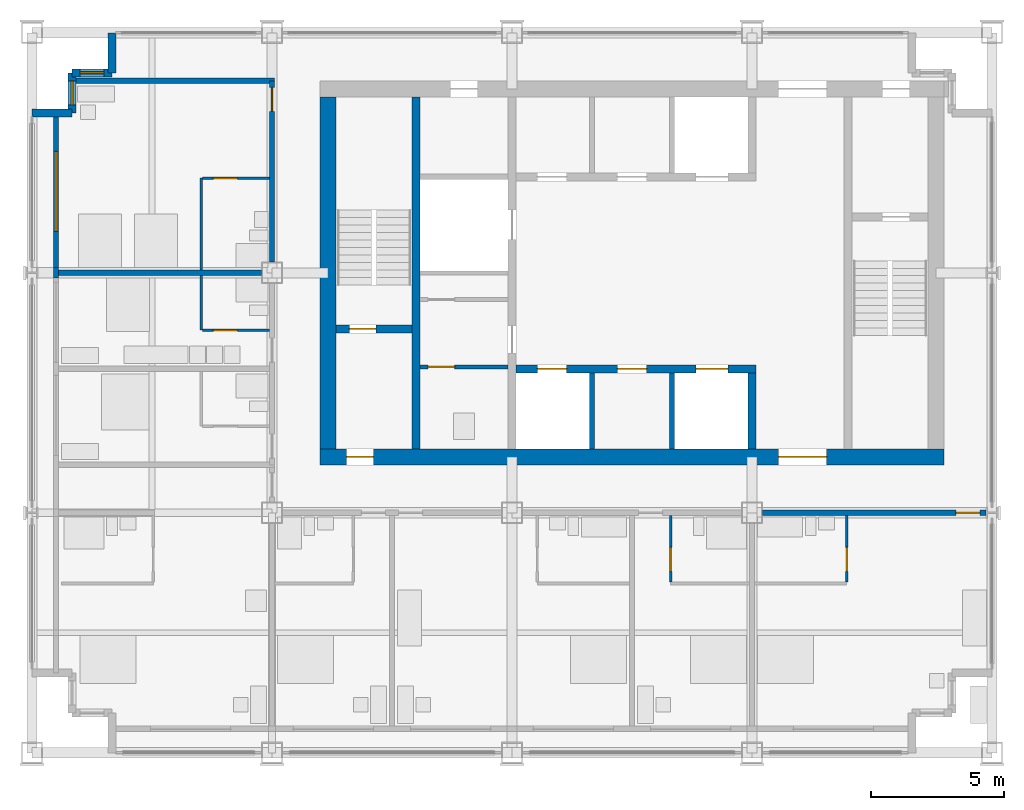
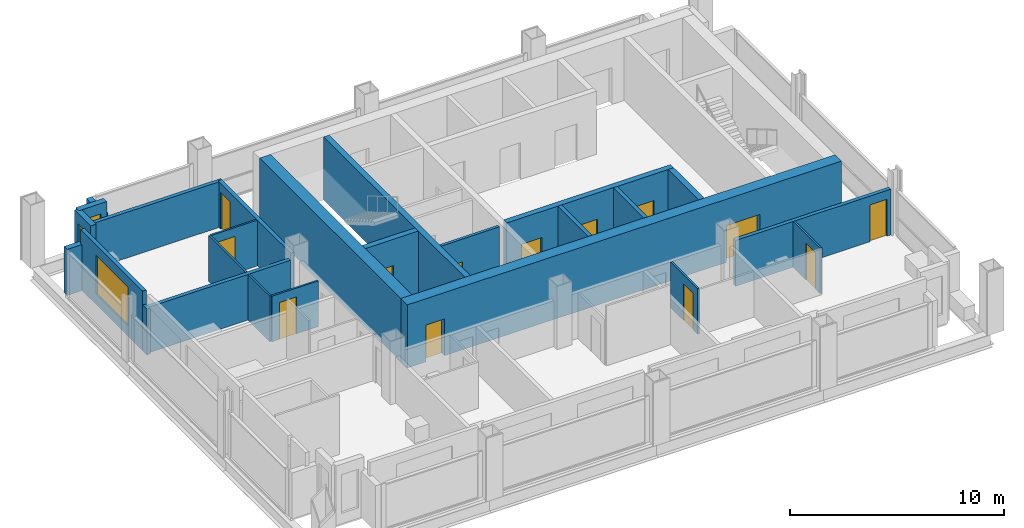
# One storey, part 7 of 12: 25 walls, 13 doors, 3 windows, 16 openings.
"""IFC4 building model written with IfcOpenShell, lengths in metres."""

from ifc_helpers import new_model, si_unit, direction, frame, frame_2d, origin, place, context, subcontext, project, spatial, rectangle, extrude, material, layer, layer_set, type_object, element, fill, save


model = new_model("IFC4")

# Units and contexts
model_context = context("Model", 3, precision=1e-05, world=origin(), true_north=direction((0.0, 1.0)))
body_context = subcontext(model_context, "Body", "Model", "MODEL_VIEW")
ifc_project = project(units=[si_unit("LENGTHUNIT", "METRE"), si_unit("AREAUNIT", "SQUARE_METRE"), si_unit("VOLUMEUNIT", "CUBIC_METRE"), si_unit("PLANEANGLEUNIT", "RADIAN"), si_unit("MASSUNIT", "GRAM", prefix="KILO")], contexts=[model_context])

# Site, building, storey
site_placement = place(None, origin())
site = spatial("IfcSite", under=ifc_project, at=site_placement, CompositionType="ELEMENT")
building_placement = place(site_placement, origin())
building = spatial("IfcBuilding", under=site, at=building_placement, Name="Loomwork Tower", CompositionType="ELEMENT")
storey_placement = place(building_placement, frame((0.0, 0.0, 237.39990234375)))
storey = spatial("IfcBuildingStorey", under=building, at=storey_placement, Name="L65", CompositionType="ELEMENT", Elevation=237.39990234375)

# Wall
ifc_material_1 = material(Name="Concrete 14000 psi (97 MPa)", Category="concrete")
ifc_layer_1 = layer(ifc_material_1, 0.300048828125)
ifc_layer_set_1 = layer_set([ifc_layer_1], Name="Core shear wall 300")
wall_type_1 = type_object("IfcWallType", Name="Core shear wall 300", PredefinedType="SHEAR", material=ifc_layer_set_1)
wall_1_placement = place(storey_placement, frame((14.39990234375, 11.39990234375, 0.0), z_axis=(0.0, 0.0, 1.0), x_axis=(0.0, 1.0, 0.0)))
element("IfcWall", 1, at=wall_1_placement, inside=storey, type_object=wall_type_1, Name="Stair A east wall L65", PredefinedType="SHEAR", context=body_context, shape_type="SweptSolid", body=[
    extrude(rectangle(XDim=13.2001953125, YDim=0.300048828125, at=frame_2d((6.60009765625, 0.0))), origin(), (0.0, 0.0, 1.0), 3.60009765625),
])

# Wall, opening, door
wall_2_placement = place(storey_placement, frame((11.39990234375, 15.89990234375, 0.0), z_axis=(0.0, 0.0, 1.0), x_axis=(1.0, 0.0, 0.0)))
wall_2 = element("IfcWall", 2, at=wall_2_placement, inside=storey, type_object=wall_type_1, Name="Stair A south wall L65", PredefinedType="SHEAR", context=body_context, shape_type="SweptSolid", body=[
    extrude(rectangle(XDim=2.85009765625, YDim=0.300048828125, at=frame_2d((1.425048828125, 0.0))), origin(), (0.0, 0.0, 1.0), 3.60009765625),
])
opening_1_placement = place(wall_2_placement, frame((0.5, 0.0, 0.0)))
opening_1 = element("IfcOpeningElement", 3, at=opening_1_placement, cuts=wall_2, Name="Opening D4", PredefinedType="OPENING", context=body_context, shape_type="SweptSolid", body=[
    extrude(rectangle(XDim=1.0, YDim=2.10009765625, at=frame_2d((0.5, 1.050048828125))), frame((0.0, 0.159912109375, 0.0), z_axis=(0.0, -1.0, 0.0), x_axis=(1.0, 0.0, 0.0)), (0.0, 0.0, 1.0), 0.320068359375),
])
ifc_material_2 = material(Name="Hollow metal door and frame")
door_type_1 = type_object("IfcDoorType", Name="Stair door 1000", OperationType="SINGLE_SWING_RIGHT", PredefinedType="DOOR", material=ifc_material_2)
door_1_placement = place(opening_1_placement, origin())
door_1 = element("IfcDoor", 4, at=door_1_placement, inside=storey, type_object=door_type_1, Name="Stair A door", OperationType="SINGLE_SWING_LEFT", OverallHeight=2.10009765625, OverallWidth=1.0, PredefinedType="DOOR", context=body_context, shape_type="SweptSolid", body=[
    extrude(rectangle(XDim=1.0, YDim=2.10009765625, at=frame_2d((0.5, 1.050048828125))), frame((0.0, 0.02490234375, 0.0), z_axis=(0.0, -1.0, 0.0), x_axis=(1.0, 0.0, 0.0)), (0.0, 0.0, 1.0), 0.050048828125),
])
fill(opening_1, door_1)

# Wall, openings, doors
wall_3_placement = place(storey_placement, frame((18.14990234375, 14.39990234375, 0.0), z_axis=(0.0, 0.0, 1.0), x_axis=(1.0, 0.0, 0.0)))
wall_3 = element("IfcWall", 5, at=wall_3_placement, inside=storey, type_object=wall_type_1, Name="Lift front wall south L65", PredefinedType="SHEAR", context=body_context, shape_type="SweptSolid", body=[
    extrude(rectangle(XDim=9.0, YDim=0.300048828125, at=frame_2d((4.5, 0.0))), origin(), (0.0, 0.0, 1.0), 3.60009765625),
])
opening_2_placement = place(wall_3_placement, frame((0.800048828125, 0.0, 0.0)))
opening_2 = element("IfcOpeningElement", 6, at=opening_2_placement, cuts=wall_3, Name="Opening LD1", PredefinedType="OPENING", context=body_context, shape_type="SweptSolid", body=[
    extrude(rectangle(XDim=1.10009765625, YDim=2.10009765625, at=frame_2d((0.550048828125, 1.050048828125))), frame((0.0, 0.159912109375, 0.0), z_axis=(0.0, -1.0, 0.0), x_axis=(1.0, 0.0, 0.0)), (0.0, 0.0, 1.0), 0.320068359375),
])
opening_3_placement = place(wall_3_placement, frame((6.75, 0.0, 0.0)))
opening_3 = element("IfcOpeningElement", 7, at=opening_3_placement, cuts=wall_3, Name="Opening LD2", PredefinedType="OPENING", context=body_context, shape_type="SweptSolid", body=[
    extrude(rectangle(XDim=1.199951171875, YDim=2.10009765625, at=frame_2d((0.60009765625, 1.050048828125))), frame((0.0, 0.159912109375, 0.0), z_axis=(0.0, -1.0, 0.0), x_axis=(1.0, 0.0, 0.0)), (0.0, 0.0, 1.0), 0.320068359375),
])
opening_4_placement = place(wall_3_placement, frame((3.800048828125, 0.0, 0.0)))
opening_4 = element("IfcOpeningElement", 8, at=opening_4_placement, cuts=wall_3, Name="Opening D17", PredefinedType="OPENING", context=body_context, shape_type="SweptSolid", body=[
    extrude(rectangle(XDim=1.10009765625, YDim=2.10009765625, at=frame_2d((0.550048828125, 1.050048828125))), frame((0.0, 0.159912109375, 0.0), z_axis=(0.0, -1.0, 0.0), x_axis=(1.0, 0.0, 0.0)), (0.0, 0.0, 1.0), 0.320068359375),
])
ifc_material_3 = material(Name="Hollow metal door and frame")
door_type_2 = type_object("IfcDoorType", Name="Lift landing door 1100", OperationType="SLIDING_TO_LEFT", PredefinedType="DOOR", material=ifc_material_3)
door_2_placement = place(opening_2_placement, origin())
door_2 = element("IfcDoor", 9, at=door_2_placement, inside=storey, type_object=door_type_2, Name="Lift landing door LC1", OperationType="SLIDING_TO_LEFT", OverallHeight=2.10009765625, OverallWidth=1.10009765625, PredefinedType="DOOR", context=body_context, shape_type="SweptSolid", body=[
    extrude(rectangle(XDim=1.10009765625, YDim=2.10009765625, at=frame_2d((0.550048828125, 1.050048828125))), frame((0.0, 0.02490234375, 0.0), z_axis=(0.0, -1.0, 0.0), x_axis=(1.0, 0.0, 0.0)), (0.0, 0.0, 1.0), 0.050048828125),
])
fill(opening_2, door_2)
ifc_material_4 = material(Name="Hollow metal door and frame")
door_type_3 = type_object("IfcDoorType", Name="Lift landing door 1200", OperationType="SLIDING_TO_LEFT", PredefinedType="DOOR", material=ifc_material_4)
door_3_placement = place(opening_3_placement, origin())
door_3 = element("IfcDoor", 10, at=door_3_placement, inside=storey, type_object=door_type_3, Name="Lift landing door LF1", OperationType="SLIDING_TO_LEFT", OverallHeight=2.10009765625, OverallWidth=1.199951171875, PredefinedType="DOOR", context=body_context, shape_type="SweptSolid", body=[
    extrude(rectangle(XDim=1.199951171875, YDim=2.10009765625, at=frame_2d((0.60009765625, 1.050048828125))), frame((0.0, 0.02490234375, 0.0), z_axis=(0.0, -1.0, 0.0), x_axis=(1.0, 0.0, 0.0)), (0.0, 0.0, 1.0), 0.050048828125),
])
fill(opening_3, door_3)
ifc_material_5 = material(Name="Hollow metal door and frame")
door_type_4 = type_object("IfcDoorType", Name="Service room door 1100", OperationType="SINGLE_SWING_LEFT", PredefinedType="DOOR", material=ifc_material_5)
door_4_placement = place(opening_4_placement, frame((1.10009765625, 0.0, 0.0), z_axis=(0.0, 0.0, 1.0), x_axis=(-1.0, 0.0, 0.0)))
door_4 = element("IfcDoor", 11, at=door_4_placement, inside=storey, type_object=door_type_4, Name="Guest pantry, ice and vending door L65", OperationType="SINGLE_SWING_RIGHT", OverallHeight=2.10009765625, OverallWidth=1.10009765625, PredefinedType="DOOR", context=body_context, shape_type="SweptSolid", body=[
    extrude(rectangle(XDim=1.10009765625, YDim=2.10009765625, at=frame_2d((0.550048828125, 1.050048828125))), frame((0.0, 0.02490234375, 0.0), z_axis=(0.0, -1.0, 0.0), x_axis=(1.0, 0.0, 0.0)), (0.0, 0.0, 1.0), 0.050048828125),
])
fill(opening_4, door_4)

# Wall
wall_4_placement = place(storey_placement, frame((27.0, 11.39990234375, 0.0), z_axis=(0.0, 0.0, 1.0), x_axis=(0.0, 1.0, 0.0)))
element("IfcWall", 12, at=wall_4_placement, inside=storey, type_object=wall_type_1, Name="Lift shaft end wall south L65", PredefinedType="SHEAR", context=body_context, shape_type="SweptSolid", body=[
    extrude(rectangle(XDim=2.85009765625, YDim=0.300048828125, at=frame_2d((1.425048828125, 0.0))), origin(), (0.0, 0.0, 1.0), 3.60009765625),
])

# Wall, openings, doors
ifc_material_6 = material(Name="Concrete 14000 psi (97 MPa)", Category="concrete")
ifc_layer_2 = layer(ifc_material_6, 0.60009765625)
ifc_layer_set_2 = layer_set([ifc_layer_2], Name="Core shear wall 600")
wall_type_2 = type_object("IfcWallType", Name="Core shear wall 600", PredefinedType="SHEAR", material=ifc_layer_set_2)
wall_5_placement = place(storey_placement, frame((10.800048828125, 11.10009765625, 0.0), z_axis=(0.0, 0.0, 1.0), x_axis=(1.0, 0.0, 0.0)))
wall_5 = element("IfcWall", 13, at=wall_5_placement, inside=storey, type_object=wall_type_2, Name="Core wall south L65", PredefinedType="SHEAR", context=body_context, shape_type="SweptSolid", body=[
    extrude(rectangle(XDim=23.39990234375, YDim=0.60009765625, at=frame_2d((11.699951171875, 0.0))), origin(), (0.0, 0.0, 1.0), 3.60009765625),
])
opening_5_placement = place(wall_5_placement, frame((1.0, 0.0, 0.0)))
opening_5 = element("IfcOpeningElement", 14, at=opening_5_placement, cuts=wall_5, Name="Opening D4", PredefinedType="OPENING", context=body_context, shape_type="SweptSolid", body=[
    extrude(rectangle(XDim=1.0, YDim=2.10009765625, at=frame_2d((0.5, 1.050048828125))), frame((0.0, 0.31005859375, 0.0), z_axis=(0.0, -1.0, 0.0), x_axis=(1.0, 0.0, 0.0)), (0.0, 0.0, 1.0), 0.6201171875),
])
opening_6_placement = place(wall_5_placement, frame((17.199951171875, 0.0, 0.0)))
opening_6 = element("IfcOpeningElement", 15, at=opening_6_placement, cuts=wall_5, Name="Opening D6", PredefinedType="OPENING", context=body_context, shape_type="SweptSolid", body=[
    extrude(rectangle(XDim=1.800048828125, YDim=2.10009765625, at=frame_2d((0.89990234375, 1.050048828125))), frame((0.0, 0.31005859375, 0.0), z_axis=(0.0, -1.0, 0.0), x_axis=(1.0, 0.0, 0.0)), (0.0, 0.0, 1.0), 0.6201171875),
])
ifc_material_7 = material(Name="Hollow metal door and frame")
door_type_5 = type_object("IfcDoorType", Name="Lobby passage double door 1800", OperationType="DOUBLE_DOOR_SINGLE_SWING", PredefinedType="DOOR", material=ifc_material_7)
door_5_placement = place(opening_6_placement, origin())
door_5 = element("IfcDoor", 16, at=door_5_placement, inside=storey, type_object=door_type_5, Name="Lobby passage door south", OperationType="DOUBLE_DOOR_SINGLE_SWING", OverallHeight=2.10009765625, OverallWidth=1.800048828125, PredefinedType="DOOR", context=body_context, shape_type="SweptSolid", body=[
    extrude(rectangle(XDim=1.800048828125, YDim=2.10009765625, at=frame_2d((0.89990234375, 1.050048828125))), frame((0.0, 0.02490234375, 0.0), z_axis=(0.0, -1.0, 0.0), x_axis=(1.0, 0.0, 0.0)), (0.0, 0.0, 1.0), 0.050048828125),
])
fill(opening_6, door_5)
door_6_placement = place(opening_5_placement, origin())
door_6 = element("IfcDoor", 17, at=door_6_placement, inside=storey, type_object=door_type_1, Name="Stair A vestibule door", OperationType="SINGLE_SWING_LEFT", OverallHeight=2.10009765625, OverallWidth=1.0, PredefinedType="DOOR", context=body_context, shape_type="SweptSolid", body=[
    extrude(rectangle(XDim=1.0, YDim=2.10009765625, at=frame_2d((0.5, 1.050048828125))), frame((0.0, 0.02490234375, 0.0), z_axis=(0.0, -1.0, 0.0), x_axis=(1.0, 0.0, 0.0)), (0.0, 0.0, 1.0), 0.050048828125),
])
fill(opening_5, door_6)

# Wall
wall_6_placement = place(storey_placement, frame((11.10009765625, 11.39990234375, 0.0), z_axis=(0.0, 0.0, 1.0), x_axis=(0.0, 1.0, 0.0)))
element("IfcWall", 18, at=wall_6_placement, inside=storey, type_object=wall_type_2, Name="Core wall west L65", PredefinedType="SHEAR", context=body_context, shape_type="SweptSolid", body=[
    extrude(rectangle(XDim=13.2001953125, YDim=0.60009765625, at=frame_2d((6.60009765625, 0.0))), origin(), (0.0, 0.0, 1.0), 3.60009765625),
])

# Wall, opening, door
ifc_material_8 = material(Name="Gypsum board on steel studs, one-hour", Category="steel")
ifc_layer_3 = layer(ifc_material_8, 0.199951171875)
ifc_layer_set_3 = layer_set([ifc_layer_3], Name="Corridor wall 200")
wall_type_3 = type_object("IfcWallType", Name="Corridor wall 200", PredefinedType="PARTITIONING", material=ifc_layer_set_3)
wall_7_placement = place(storey_placement, frame((27.39990234375, 9.0, 0.0), z_axis=(0.0, 0.0, 1.0), x_axis=(1.0, 0.0, 0.0)))
wall_7 = element("IfcWall", 19, at=wall_7_placement, inside=storey, type_object=wall_type_3, Name="South corridor wall 4", PredefinedType="PARTITIONING", context=body_context, shape_type="SweptSolid", body=[
    extrude(rectangle(XDim=8.36767578125, YDim=0.199951171875, at=frame_2d((4.183837890625, 0.0))), origin(), (0.0, 0.0, 1.0), 2.60498046875),
])
opening_7_placement = place(wall_7_placement, frame((7.25, 0.0, 0.0)))
opening_7 = element("IfcOpeningElement", 20, at=opening_7_placement, cuts=wall_7, Name="Opening D1", PredefinedType="OPENING", context=body_context, shape_type="SweptSolid", body=[
    extrude(rectangle(XDim=0.89990234375, YDim=2.10009765625, at=frame_2d((0.449951171875, 1.050048828125))), frame((0.0, 0.10986328125, 0.0), z_axis=(0.0, -1.0, 0.0), x_axis=(1.0, 0.0, 0.0)), (0.0, 0.0, 1.0), 0.219970703125),
])
ifc_material_9 = material(Name="Hollow metal door and frame")
door_type_6 = type_object("IfcDoorType", Name="Guest room entry door 900", OperationType="SINGLE_SWING_LEFT", PredefinedType="DOOR", material=ifc_material_9)
door_7_placement = place(opening_7_placement, frame((0.89990234375, 0.0, 0.0), z_axis=(0.0, 0.0, 1.0), x_axis=(-1.0, 0.0, 0.0)))
door_7 = element("IfcDoor", 21, at=door_7_placement, inside=storey, type_object=door_type_6, Name="Guest room entry door L65 5", OperationType="SINGLE_SWING_RIGHT", OverallHeight=2.10009765625, OverallWidth=0.89990234375, PredefinedType="DOOR", context=body_context, shape_type="SweptSolid", body=[
    extrude(rectangle(XDim=0.89990234375, YDim=2.10009765625, at=frame_2d((0.449951171875, 1.050048828125))), frame((0.0, 0.02490234375, 0.0), z_axis=(0.0, -1.0, 0.0), x_axis=(1.0, 0.0, 0.0)), (0.0, 0.0, 1.0), 0.050048828125),
])
fill(opening_7, door_7)

wall_8_placement = place(storey_placement, frame((9.0, 18.39990234375, 0.0), z_axis=(0.0, 0.0, 1.0), x_axis=(0.0, 1.0, 0.0)))
wall_8 = element("IfcWall", 22, at=wall_8_placement, inside=storey, type_object=wall_type_3, Name="West corridor wall 2", PredefinedType="PARTITIONING", context=body_context, shape_type="SweptSolid", body=[
    extrude(rectangle(XDim=6.800048828125, YDim=0.199951171875, at=frame_2d((3.39990234375, 0.0))), origin(), (0.0, 0.0, 1.0), 2.60498046875),
])
opening_8_placement = place(wall_8_placement, frame((5.64990234375, 0.0, 0.0)))
opening_8 = element("IfcOpeningElement", 23, at=opening_8_placement, cuts=wall_8, Name="Opening D1", PredefinedType="OPENING", context=body_context, shape_type="SweptSolid", body=[
    extrude(rectangle(XDim=0.89990234375, YDim=2.10009765625, at=frame_2d((0.449951171875, 1.050048828125))), frame((0.0, 0.10986328125, 0.0), z_axis=(0.0, -1.0, 0.0), x_axis=(1.0, 0.0, 0.0)), (0.0, 0.0, 1.0), 0.219970703125),
])
door_8_placement = place(opening_8_placement, origin())
door_8 = element("IfcDoor", 24, at=door_8_placement, inside=storey, type_object=door_type_6, Name="Guest room entry door L65 8", OperationType="SINGLE_SWING_RIGHT", OverallHeight=2.10009765625, OverallWidth=0.89990234375, PredefinedType="DOOR", context=body_context, shape_type="SweptSolid", body=[
    extrude(rectangle(XDim=0.89990234375, YDim=2.10009765625, at=frame_2d((0.449951171875, 1.050048828125))), frame((0.0, 0.02490234375, 0.0), z_axis=(0.0, -1.0, 0.0), x_axis=(1.0, 0.0, 0.0)), (0.0, 0.0, 1.0), 0.050048828125),
])
fill(opening_8, door_8)

# Wall
wall_9_placement = place(storey_placement, frame((1.64990234375, 25.199951171875, 0.0), z_axis=(0.0, 0.0, 1.0), x_axis=(1.0, 0.0, 0.0)))
element("IfcWall", 25, at=wall_9_placement, inside=storey, type_object=wall_type_3, Name="West band end wall N", PredefinedType="PARTITIONING", context=body_context, shape_type="SweptSolid", body=[
    extrude(rectangle(XDim=7.4501953125, YDim=0.199951171875, at=frame_2d((3.72509765625, 0.0))), origin(), (0.0, 0.0, 1.0), 2.60400390625),
])

# Wall, opening, door
ifc_material_10 = material(Name="Cement board on steel studs", Category="steel")
ifc_layer_4 = layer(ifc_material_10, 0.10009765625)
ifc_layer_set_4 = layer_set([ifc_layer_4], Name="En-suite partition 100")
wall_type_4 = type_object("IfcWallType", Name="En-suite partition 100", PredefinedType="PARTITIONING", material=ifc_layer_set_4)
wall_10_placement = place(storey_placement, frame((23.949951171875, 8.89990234375, 0.0), z_axis=(0.0, 0.0, 1.0), x_axis=(0.0, -1.0, 0.0)))
wall_10 = element("IfcWall", 26, at=wall_10_placement, inside=storey, type_object=wall_type_4, Name="En-suite side wall L65 room 4", PredefinedType="PARTITIONING", context=body_context, shape_type="SweptSolid", body=[
    extrude(rectangle(XDim=2.5, YDim=0.10009765625, at=frame_2d((1.25, 0.0))), origin(), (0.0, 0.0, 1.0), 2.60400390625),
])
opening_9_placement = place(wall_10_placement, frame((1.199951171875, 0.0, 0.0)))
opening_9 = element("IfcOpeningElement", 27, at=opening_9_placement, cuts=wall_10, Name="Opening D3", PredefinedType="OPENING", context=body_context, shape_type="SweptSolid", body=[
    extrude(rectangle(XDim=0.89990234375, YDim=2.10009765625, at=frame_2d((0.449951171875, 1.050048828125))), frame((0.0, 0.06005859375, 0.0), z_axis=(0.0, -1.0, 0.0), x_axis=(1.0, 0.0, 0.0)), (0.0, 0.0, 1.0), 0.1201171875),
])
ifc_material_11 = material(Name="Hollow metal door and frame")
door_type_7 = type_object("IfcDoorType", Name="Accessible en-suite door 900", OperationType="SLIDING_TO_LEFT", PredefinedType="DOOR", material=ifc_material_11)
door_9_placement = place(opening_9_placement, origin())
door_9 = element("IfcDoor", 28, at=door_9_placement, inside=storey, type_object=door_type_7, Name="Accessible en-suite door room 4", OperationType="SLIDING_TO_LEFT", OverallHeight=2.10009765625, OverallWidth=0.89990234375, PredefinedType="DOOR", context=body_context, shape_type="SweptSolid", body=[
    extrude(rectangle(XDim=0.89990234375, YDim=2.10009765625, at=frame_2d((0.449951171875, 1.050048828125))), frame((0.0, 0.02490234375, 0.0), z_axis=(0.0, -1.0, 0.0), x_axis=(1.0, 0.0, 0.0)), (0.0, 0.0, 1.0), 0.050048828125),
])
fill(opening_9, door_9)

wall_11_placement = place(storey_placement, frame((30.550048828125, 8.89990234375, 0.0), z_axis=(0.0, 0.0, 1.0), x_axis=(0.0, -1.0, 0.0)))
wall_11 = element("IfcWall", 29, at=wall_11_placement, inside=storey, type_object=wall_type_4, Name="En-suite side wall L65 room 5", PredefinedType="PARTITIONING", context=body_context, shape_type="SweptSolid", body=[
    extrude(rectangle(XDim=2.5, YDim=0.10009765625, at=frame_2d((1.25, 0.0))), origin(), (0.0, 0.0, 1.0), 2.60400390625),
])
opening_10_placement = place(wall_11_placement, frame((1.199951171875, 0.0, 0.0)))
opening_10 = element("IfcOpeningElement", 30, at=opening_10_placement, cuts=wall_11, Name="Opening D2", PredefinedType="OPENING", context=body_context, shape_type="SweptSolid", body=[
    extrude(rectangle(XDim=0.89990234375, YDim=2.10009765625, at=frame_2d((0.449951171875, 1.050048828125))), frame((0.0, 0.06005859375, 0.0), z_axis=(0.0, -1.0, 0.0), x_axis=(1.0, 0.0, 0.0)), (0.0, 0.0, 1.0), 0.1201171875),
])
ifc_material_12 = material(Name="Hollow metal door and frame")
door_type_8 = type_object("IfcDoorType", Name="En-suite door 900", OperationType="SINGLE_SWING_LEFT", PredefinedType="DOOR", material=ifc_material_12)
door_10_placement = place(opening_10_placement, frame((0.89990234375, 0.0, 0.0), z_axis=(0.0, 0.0, 1.0), x_axis=(-1.0, 0.0, 0.0)))
door_10 = element("IfcDoor", 31, at=door_10_placement, inside=storey, type_object=door_type_8, Name="En-suite door room 5", OperationType="SINGLE_SWING_LEFT", OverallHeight=2.10009765625, OverallWidth=0.89990234375, PredefinedType="DOOR", context=body_context, shape_type="SweptSolid", body=[
    extrude(rectangle(XDim=0.89990234375, YDim=2.10009765625, at=frame_2d((0.449951171875, 1.050048828125))), frame((0.0, 0.02490234375, 0.0), z_axis=(0.0, -1.0, 0.0), x_axis=(1.0, 0.0, 0.0)), (0.0, 0.0, 1.0), 0.050048828125),
])
fill(opening_10, door_10)

# Wall
wall_12_placement = place(storey_placement, frame((6.35009765625, 15.85009765625, 0.0), z_axis=(0.0, 0.0, 1.0), x_axis=(0.0, 1.0, 0.0)))
element("IfcWall", 32, at=wall_12_placement, inside=storey, type_object=wall_type_4, Name="En-suite wall L65 room 7", PredefinedType="PARTITIONING", context=body_context, shape_type="SweptSolid", body=[
    extrude(rectangle(XDim=2.0498046875, YDim=0.10009765625, at=frame_2d((1.02490234375, 0.0))), origin(), (0.0, 0.0, 1.0), 2.60400390625),
])

# Wall, opening, door
wall_13_placement = place(storey_placement, frame((8.89990234375, 15.85009765625, 0.0), z_axis=(0.0, 0.0, 1.0), x_axis=(-1.0, 0.0, 0.0)))
wall_13 = element("IfcWall", 33, at=wall_13_placement, inside=storey, type_object=wall_type_4, Name="En-suite side wall L65 room 7", PredefinedType="PARTITIONING", context=body_context, shape_type="SweptSolid", body=[
    extrude(rectangle(XDim=2.5, YDim=0.10009765625, at=frame_2d((1.25, 0.0))), origin(), (0.0, 0.0, 1.0), 2.60400390625),
])
opening_11_placement = place(wall_13_placement, frame((1.199951171875, 0.0, 0.0)))
opening_11 = element("IfcOpeningElement", 34, at=opening_11_placement, cuts=wall_13, Name="Opening D2", PredefinedType="OPENING", context=body_context, shape_type="SweptSolid", body=[
    extrude(rectangle(XDim=0.89990234375, YDim=2.10009765625, at=frame_2d((0.449951171875, 1.050048828125))), frame((0.0, 0.06005859375, 0.0), z_axis=(0.0, -1.0, 0.0), x_axis=(1.0, 0.0, 0.0)), (0.0, 0.0, 1.0), 0.1201171875),
])
door_11_placement = place(opening_11_placement, frame((0.89990234375, 0.0, 0.0), z_axis=(0.0, 0.0, 1.0), x_axis=(-1.0, 0.0, 0.0)))
door_11 = element("IfcDoor", 35, at=door_11_placement, inside=storey, type_object=door_type_8, Name="En-suite door room 7", OperationType="SINGLE_SWING_LEFT", OverallHeight=2.10009765625, OverallWidth=0.89990234375, PredefinedType="DOOR", context=body_context, shape_type="SweptSolid", body=[
    extrude(rectangle(XDim=0.89990234375, YDim=2.10009765625, at=frame_2d((0.449951171875, 1.050048828125))), frame((0.0, 0.02490234375, 0.0), z_axis=(0.0, -1.0, 0.0), x_axis=(1.0, 0.0, 0.0)), (0.0, 0.0, 1.0), 0.050048828125),
])
fill(opening_11, door_11)

# Wall
wall_14_placement = place(storey_placement, frame((6.35009765625, 18.10009765625, 0.0), z_axis=(0.0, 0.0, 1.0), x_axis=(0.0, 1.0, 0.0)))
element("IfcWall", 36, at=wall_14_placement, inside=storey, type_object=wall_type_4, Name="En-suite wall L65 room 8", PredefinedType="PARTITIONING", context=body_context, shape_type="SweptSolid", body=[
    extrude(rectangle(XDim=3.449951171875, YDim=0.10009765625, at=frame_2d((1.72509765625, 0.0))), origin(), (0.0, 0.0, 1.0), 2.60400390625),
])

# Wall, opening, door
wall_15_placement = place(storey_placement, frame((8.89990234375, 21.550048828125, 0.0), z_axis=(0.0, 0.0, 1.0), x_axis=(-1.0, 0.0, 0.0)))
wall_15 = element("IfcWall", 37, at=wall_15_placement, inside=storey, type_object=wall_type_4, Name="En-suite side wall L65 room 8", PredefinedType="PARTITIONING", context=body_context, shape_type="SweptSolid", body=[
    extrude(rectangle(XDim=2.5, YDim=0.10009765625, at=frame_2d((1.25, 0.0))), origin(), (0.0, 0.0, 1.0), 2.60400390625),
])
opening_12_placement = place(wall_15_placement, frame((1.199951171875, 0.0, 0.0)))
opening_12 = element("IfcOpeningElement", 38, at=opening_12_placement, cuts=wall_15, Name="Opening D2", PredefinedType="OPENING", context=body_context, shape_type="SweptSolid", body=[
    extrude(rectangle(XDim=0.89990234375, YDim=2.10009765625, at=frame_2d((0.449951171875, 1.050048828125))), frame((0.0, 0.06005859375, 0.0), z_axis=(0.0, -1.0, 0.0), x_axis=(1.0, 0.0, 0.0)), (0.0, 0.0, 1.0), 0.1201171875),
])
door_12_placement = place(opening_12_placement, origin())
door_12 = element("IfcDoor", 39, at=door_12_placement, inside=storey, type_object=door_type_8, Name="En-suite door room 8", OperationType="SINGLE_SWING_RIGHT", OverallHeight=2.10009765625, OverallWidth=0.89990234375, PredefinedType="DOOR", context=body_context, shape_type="SweptSolid", body=[
    extrude(rectangle(XDim=0.89990234375, YDim=2.10009765625, at=frame_2d((0.449951171875, 1.050048828125))), frame((0.0, 0.02490234375, 0.0), z_axis=(0.0, -1.0, 0.0), x_axis=(1.0, 0.0, 0.0)), (0.0, 0.0, 1.0), 0.050048828125),
])
fill(opening_12, door_12)

# Walls
ifc_material_13 = material(Name="Gypsum board on steel studs, acoustic", Category="steel")
ifc_layer_5 = layer(ifc_material_13, 0.199951171875)
ifc_layer_set_5 = layer_set([ifc_layer_5], Name="Guest room party wall 200")
wall_type_5 = type_object("IfcWallType", Name="Guest room party wall 200", PredefinedType="PARTITIONING", material=ifc_layer_set_5)
wall_16_placement = place(storey_placement, frame((8.60009765625, 18.0, 0.0), z_axis=(0.0, 0.0, 1.0), x_axis=(-1.0, 0.0, 0.0)))
element("IfcWall", 40, at=wall_16_placement, inside=storey, type_object=wall_type_5, Name="Guest room party wall W 18", PredefinedType="PARTITIONING", context=body_context, shape_type="SweptSolid", body=[
    extrude(rectangle(XDim=7.60009765625, YDim=0.199951171875, at=frame_2d((3.800048828125, 0.0))), origin(), (0.0, 0.0, 1.0), 2.60498046875),
])
ifc_material_14 = material(Name="Insulated steel stud wall with gypsum lining", Category="steel")
ifc_layer_6 = layer(ifc_material_14, 0.199951171875)
ifc_layer_set_6 = layer_set([ifc_layer_6], Name="Inner skin wall 200")
wall_type_6 = type_object("IfcWallType", Name="Inner skin wall 200", PredefinedType="SOLIDWALL", material=ifc_layer_set_6)
wall_17_placement = place(storey_placement, frame((0.89990234375, 17.80615234375, 0.0), z_axis=(0.0, 0.0, 1.0), x_axis=(0.0, 1.0, 0.0)))
element("IfcWall", 41, at=wall_17_placement, inside=storey, type_object=wall_type_6, Name="Inner skin wall W bay 6", PredefinedType="SOLIDWALL", context=body_context, shape_type="SweptSolid", body=[
    extrude(rectangle(XDim=0.3876953125, YDim=0.199951171875, at=frame_2d((0.19384765625, 0.0))), origin(), (0.0, 0.0, 1.0), 2.60400390625),
])

# Wall, opening, window
wall_18_placement = place(storey_placement, frame((0.89990234375, 18.19384765625, 0.0), z_axis=(0.0, 0.0, 1.0), x_axis=(0.0, 1.0, 0.0)))
wall_18 = element("IfcWall", 42, at=wall_18_placement, inside=storey, type_object=wall_type_6, Name="Inner skin wall W bay 7", PredefinedType="SOLIDWALL", context=body_context, shape_type="SweptSolid", body=[
    extrude(rectangle(XDim=5.80615234375, YDim=0.199951171875, at=frame_2d((2.903076171875, 0.0))), origin(), (0.0, 0.0, 1.0), 3.400146484375),
])
opening_13_placement = place(wall_18_placement, frame((1.356201171875, 0.0, 0.60009765625)))
opening_13 = element("IfcOpeningElement", 43, at=opening_13_placement, cuts=wall_18, Name="Opening CH1", PredefinedType="OPENING", context=body_context, shape_type="SweptSolid", body=[
    extrude(rectangle(XDim=3.0, YDim=2.199951171875, at=frame_2d((1.5, 1.10009765625))), frame((0.0, 0.10986328125, 0.0), z_axis=(0.0, -1.0, 0.0), x_axis=(1.0, 0.0, 0.0)), (0.0, 0.0, 1.0), 0.219970703125),
])
ifc_material_15 = material(Name="Aluminium frame with clear insulated glass", Category="aluminium")
window_type_1 = type_object("IfcWindowType", Name="Chicago window 3000", PartitioningType="TRIPLE_PANEL_VERTICAL", PredefinedType="WINDOW", material=ifc_material_15)
window_1_placement = place(opening_13_placement, origin())
window_1 = element("IfcWindow", 44, at=window_1_placement, inside=storey, type_object=window_type_1, Name="Chicago window L65 bay 6", OverallHeight=2.199951171875, OverallWidth=3.0, PartitioningType="TRIPLE_PANEL_VERTICAL", PredefinedType="WINDOW", context=body_context, shape_type="SweptSolid", body=[
    extrude(rectangle(XDim=3.0, YDim=2.199951171875, at=frame_2d((1.5, 1.10009765625))), frame((0.0, 0.030029296875, 0.0), z_axis=(0.0, -1.0, 0.0), x_axis=(1.0, 0.0, 0.0)), (0.0, 0.0, 1.0), 0.06005859375),
])
fill(opening_13, window_1)

# Walls
ifc_material_16 = material(Name="Concrete 14000 psi (97 MPa)", Category="concrete")
ifc_layer_7 = layer(ifc_material_16, 0.199951171875)
ifc_layer_set_7 = layer_set([ifc_layer_7], Name="Lift shaft wall 200")
wall_type_7 = type_object("IfcWallType", Name="Lift shaft wall 200", PredefinedType="SHEAR", material=ifc_layer_set_7)
for number, where, z_axis, x_axis, name in (
    (45, (21.0, 11.39990234375, 0.0), (0.0, 0.0, 1.0), (0.0, 1.0, 0.0), "Lift shaft separation wall south 1 L65"),
    (46, (24.0, 11.39990234375, 0.0), (0.0, 0.0, 1.0), (0.0, 1.0, 0.0), "Lift shaft separation wall south 2 L65"),
):
    element("IfcWall", number, at=place(storey_placement, frame(where, z_axis=z_axis, x_axis=x_axis)), inside=storey, type_object=wall_type_7, Name=name, PredefinedType="SHEAR", context=body_context, shape_type="SweptSolid", body=[
        extrude(rectangle(XDim=2.85009765625, YDim=0.199951171875, at=frame_2d((1.425048828125, 0.0))), origin(), (0.0, 0.0, 1.0), 3.60009765625),
    ])
ifc_material_17 = material(Name="Limestone on concrete masonry", Category="masonry")
ifc_layer_8 = layer(ifc_material_17, 0.300048828125)
ifc_layer_set_8 = layer_set([ifc_layer_8], Name="Limestone corner wall 300")
wall_type_8 = type_object("IfcWallType", Name="Limestone corner wall 300", PredefinedType="SOLIDWALL", material=ifc_layer_set_8)
wall_19_placement = place(storey_placement, frame((3.0, 27.0, 0.0), z_axis=(0.0, 0.0, 1.0), x_axis=(0.0, -1.0, 0.0)))
element("IfcWall", 47, at=wall_19_placement, inside=storey, type_object=wall_type_8, Name="Stone corner wall NW 1", PredefinedType="SOLIDWALL", context=body_context, shape_type="SweptSolid", body=[
    extrude(rectangle(XDim=1.5, YDim=0.300048828125, at=frame_2d((0.75, 0.0))), origin(), (0.0, 0.0, 1.0), 2.6201171875),
])

# Wall, opening, window
wall_20_placement = place(storey_placement, frame((3.0, 25.5, 0.0), z_axis=(0.0, 0.0, 1.0), x_axis=(-1.0, 0.0, 0.0)))
wall_20 = element("IfcWall", 48, at=wall_20_placement, inside=storey, type_object=wall_type_8, Name="Stone corner wall NW 2", PredefinedType="SOLIDWALL", context=body_context, shape_type="SweptSolid", body=[
    extrude(rectangle(XDim=1.5, YDim=0.300048828125, at=frame_2d((0.75, 0.0))), origin(), (0.0, 0.0, 1.0), 3.400146484375),
])
opening_14_placement = place(wall_20_placement, frame((0.300048828125, 0.0, 0.60009765625)))
opening_14 = element("IfcOpeningElement", 49, at=opening_14_placement, cuts=wall_20, Name="Opening CH2", PredefinedType="OPENING", context=body_context, shape_type="SweptSolid", body=[
    extrude(rectangle(XDim=0.89990234375, YDim=2.199951171875, at=frame_2d((0.449951171875, 1.10009765625))), frame((0.0, 0.159912109375, 0.0), z_axis=(0.0, -1.0, 0.0), x_axis=(1.0, 0.0, 0.0)), (0.0, 0.0, 1.0), 0.320068359375),
])
ifc_material_18 = material(Name="Aluminium frame with clear insulated glass", Category="aluminium")
window_type_2 = type_object("IfcWindowType", Name="Corner window 900", PartitioningType="SINGLE_PANEL", PredefinedType="WINDOW", material=ifc_material_18)
window_2_placement = place(opening_14_placement, origin())
window_2 = element("IfcWindow", 50, at=window_2_placement, inside=storey, type_object=window_type_2, Name="Corner window NW", OverallHeight=2.199951171875, OverallWidth=0.89990234375, PartitioningType="SINGLE_PANEL", PredefinedType="WINDOW", context=body_context, shape_type="SweptSolid", body=[
    extrude(rectangle(XDim=0.89990234375, YDim=2.199951171875, at=frame_2d((0.449951171875, 1.10009765625))), frame((0.0, 0.030029296875, 0.0), z_axis=(0.0, -1.0, 0.0), x_axis=(1.0, 0.0, 0.0)), (0.0, 0.0, 1.0), 0.06005859375),
])
fill(opening_14, window_2)

wall_21_placement = place(storey_placement, frame((1.5, 25.5, 0.0), z_axis=(0.0, 0.0, 1.0), x_axis=(0.0, -1.0, 0.0)))
wall_21 = element("IfcWall", 51, at=wall_21_placement, inside=storey, type_object=wall_type_8, Name="Stone corner wall NW 3", PredefinedType="SOLIDWALL", context=body_context, shape_type="SweptSolid", body=[
    extrude(rectangle(XDim=1.5, YDim=0.300048828125, at=frame_2d((0.75, 0.0))), origin(), (0.0, 0.0, 1.0), 3.400146484375),
])
opening_15_placement = place(wall_21_placement, frame((0.300048828125, 0.0, 0.60009765625)))
opening_15 = element("IfcOpeningElement", 52, at=opening_15_placement, cuts=wall_21, Name="Opening CH2", PredefinedType="OPENING", context=body_context, shape_type="SweptSolid", body=[
    extrude(rectangle(XDim=0.89990234375, YDim=2.199951171875, at=frame_2d((0.449951171875, 1.10009765625))), frame((0.0, 0.159912109375, 0.0), z_axis=(0.0, -1.0, 0.0), x_axis=(1.0, 0.0, 0.0)), (0.0, 0.0, 1.0), 0.320068359375),
])
window_3_placement = place(opening_15_placement, origin())
window_3 = element("IfcWindow", 53, at=window_3_placement, inside=storey, type_object=window_type_2, Name="Corner window NW", OverallHeight=2.199951171875, OverallWidth=0.89990234375, PartitioningType="SINGLE_PANEL", PredefinedType="WINDOW", context=body_context, shape_type="SweptSolid", body=[
    extrude(rectangle(XDim=0.89990234375, YDim=2.199951171875, at=frame_2d((0.449951171875, 1.10009765625))), frame((0.0, 0.030029296875, 0.0), z_axis=(0.0, -1.0, 0.0), x_axis=(1.0, 0.0, 0.0)), (0.0, 0.0, 1.0), 0.06005859375),
])
fill(opening_15, window_3)

# Wall
wall_22_placement = place(storey_placement, frame((1.5, 24.0, 0.0), z_axis=(0.0, 0.0, 1.0), x_axis=(-1.0, 0.0, 0.0)))
element("IfcWall", 54, at=wall_22_placement, inside=storey, type_object=wall_type_8, Name="Stone corner wall NW 4", PredefinedType="SOLIDWALL", context=body_context, shape_type="SweptSolid", body=[
    extrude(rectangle(XDim=1.5, YDim=0.300048828125, at=frame_2d((0.75, 0.0))), origin(), (0.0, 0.0, 1.0), 2.6201171875),
])

# Wall, opening, door
ifc_material_19 = material(Name="Gypsum board on steel studs, one-hour", Category="steel")
ifc_layer_9 = layer(ifc_material_19, 0.14990234375)
ifc_layer_set_9 = layer_set([ifc_layer_9], Name="Service partition 150")
wall_type_9 = type_object("IfcWallType", Name="Service partition 150", PredefinedType="PARTITIONING", material=ifc_layer_set_9)
wall_23_placement = place(storey_placement, frame((14.550048828125, 14.47509765625, 0.0), z_axis=(0.0, 0.0, 1.0), x_axis=(1.0, 0.0, 0.0)))
wall_23 = element("IfcWall", 55, at=wall_23_placement, inside=storey, type_object=wall_type_9, Name="Back-of-house partition L65", PredefinedType="PARTITIONING", context=body_context, shape_type="SweptSolid", body=[
    extrude(rectangle(XDim=3.300048828125, YDim=0.14990234375, at=frame_2d((1.64990234375, 0.0))), origin(), (0.0, 0.0, 1.0), 3.400146484375),
])
opening_16_placement = place(wall_23_placement, frame((0.300048828125, 0.0, 0.0)))
opening_16 = element("IfcOpeningElement", 56, at=opening_16_placement, cuts=wall_23, Name="Opening D5", PredefinedType="OPENING", context=body_context, shape_type="SweptSolid", body=[
    extrude(rectangle(XDim=1.0, YDim=2.10009765625, at=frame_2d((0.5, 1.050048828125))), frame((0.0, 0.0849609375, 0.0), z_axis=(0.0, -1.0, 0.0), x_axis=(1.0, 0.0, 0.0)), (0.0, 0.0, 1.0), 0.169921875),
])
ifc_material_20 = material(Name="Hollow metal door and frame")
door_type_9 = type_object("IfcDoorType", Name="Service door 1000", OperationType="SINGLE_SWING_LEFT", PredefinedType="DOOR", material=ifc_material_20)
door_13_placement = place(opening_16_placement, origin())
door_13 = element("IfcDoor", 57, at=door_13_placement, inside=storey, type_object=door_type_9, Name="Back-of-house room door", OperationType="SINGLE_SWING_LEFT", OverallHeight=2.10009765625, OverallWidth=1.0, PredefinedType="DOOR", context=body_context, shape_type="SweptSolid", body=[
    extrude(rectangle(XDim=1.0, YDim=2.10009765625, at=frame_2d((0.5, 1.050048828125))), frame((0.0, 0.02490234375, 0.0), z_axis=(0.0, -1.0, 0.0), x_axis=(1.0, 0.0, 0.0)), (0.0, 0.0, 1.0), 0.050048828125),
])
fill(opening_16, door_13)

save(model, "model.ifc")
